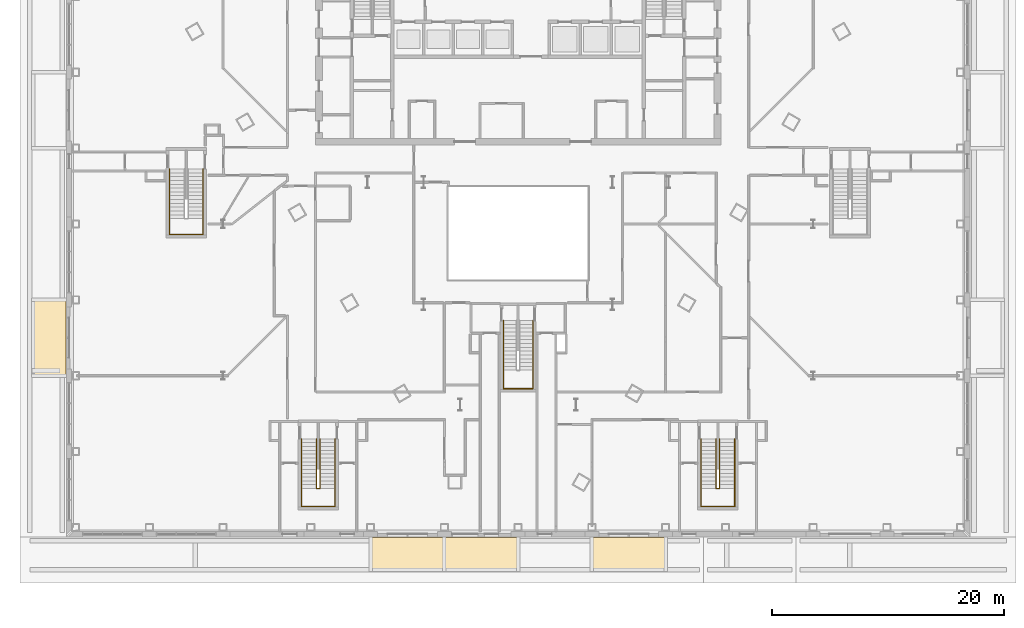
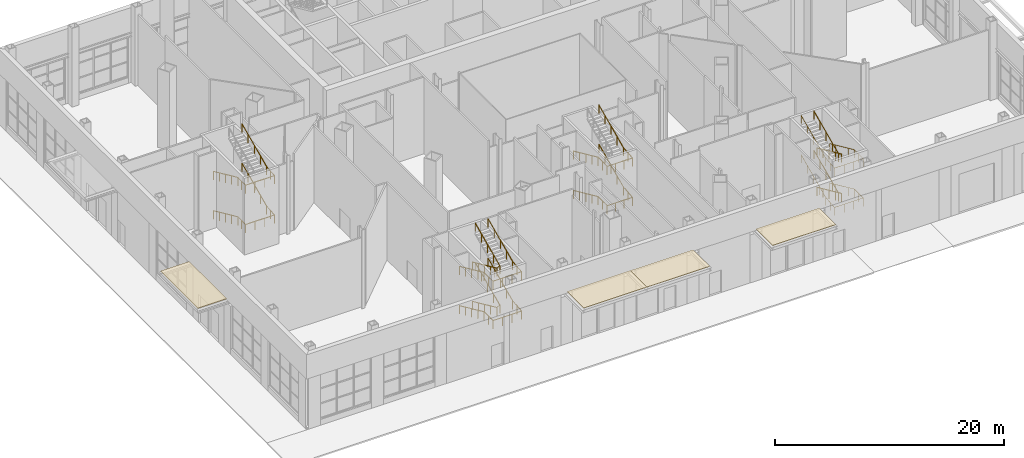
# One storey, part 31 of 34: 12 railings, 4 coverings.
"""IFC4 building model written with IfcOpenShell, lengths in metres."""

from ifc_helpers import new_model, si_unit, direction, frame, origin, origin_2d, place, context, subcontext, project, spatial, polyline, circle, outline, extrude, material, layer, layer_set, type_object, element, save


model = new_model("IFC4")

# Units and contexts
model_context = context("Model", 3, precision=1e-05, world=origin(), true_north=direction((0.0, 1.0)))
body_context = subcontext(model_context, "Body", "Model", "MODEL_VIEW")
ifc_project = project(units=[si_unit("LENGTHUNIT", "METRE"), si_unit("AREAUNIT", "SQUARE_METRE"), si_unit("VOLUMEUNIT", "CUBIC_METRE"), si_unit("PLANEANGLEUNIT", "RADIAN"), si_unit("MASSUNIT", "GRAM", prefix="KILO")], contexts=[model_context])

# Site, building, storey
site_placement = place(None, origin())
site = spatial("IfcSite", under=ifc_project, at=site_placement, CompositionType="ELEMENT")
building_placement = place(site_placement, origin())
building = spatial("IfcBuilding", under=site, at=building_placement, Name="Njiva Tower", CompositionType="ELEMENT")
storey_placement = place(building_placement, origin())
storey = spatial("IfcBuildingStorey", under=building, at=storey_placement, Name="L00", CompositionType="ELEMENT", Elevation=0.0)

# Coverings
ifc_material_1 = material(Name="Roofing membrane and ballast", Category="membrane")
ifc_layer = layer(ifc_material_1, 0.05)
ifc_layer_set = layer_set([ifc_layer], Name="Roofing membrane and ballast")
covering_type = type_object("IfcCoveringType", Name="RF90 Canopy roof finish 50", PredefinedType="ROOFING", material=ifc_layer_set)
covering_1_placement = place(storey_placement, frame((0.0, 0.0, 5.55)))
element("IfcCovering", 1, at=covering_1_placement, inside=storey, type_object=covering_type, Name="Canopy roof finish", PredefinedType="ROOFING", context=body_context, shape_type="SweptSolid", body=[
    extrude(outline(polyline([(-39.05, -13.35), (-39.05, -19.9), (-41.95, -19.9), (-41.95, -13.35), (-39.05, -13.35)])), origin(), (0.0, 0.0, 1.0), 0.05),
])
covering_2_placement = place(storey_placement, frame((0.0, 0.0, 5.55)))
element("IfcCovering", 2, at=covering_2_placement, inside=storey, type_object=covering_type, Name="Canopy roof finish", PredefinedType="ROOFING", context=body_context, shape_type="SweptSolid", body=[
    extrude(outline(polyline([(-12.7333, -33.85), (-6.3667, -33.85), (-6.3667, -36.75), (-12.7333, -36.75), (-12.7333, -33.85)])), origin(), (0.0, 0.0, 1.0), 0.05),
])
covering_3_placement = place(storey_placement, frame((0.0, 0.0, 5.55)))
element("IfcCovering", 3, at=covering_3_placement, inside=storey, type_object=covering_type, Name="Canopy roof finish", PredefinedType="ROOFING", context=body_context, shape_type="SweptSolid", body=[
    extrude(outline(polyline([(-6.3667, -33.85), (0.0, -33.85), (0.0, -36.75), (-6.3667, -36.75), (-6.3667, -33.85)])), origin(), (0.0, 0.0, 1.0), 0.05),
])
covering_4_placement = place(storey_placement, frame((0.0, 0.0, 5.55)))
element("IfcCovering", 4, at=covering_4_placement, inside=storey, type_object=covering_type, Name="Canopy roof finish", PredefinedType="ROOFING", context=body_context, shape_type="SweptSolid", body=[
    extrude(outline(polyline([(6.3667, -33.85), (12.7333, -33.85), (12.7333, -36.75), (6.3667, -36.75), (6.3667, -33.85)])), origin(), (0.0, 0.0, 1.0), 0.05),
])

# Railings
ifc_material_2 = material(Name="Stainless steel", Category="steel")
railing_type = type_object("IfcRailingType", Name="RL1 Stair handrail 900", PredefinedType="HANDRAIL", material=ifc_material_2)
railing_1_placement = place(storey_placement, frame((-1.275, -15.135, 0.15)))
element("IfcRailing", 5, at=railing_1_placement, inside=storey, type_object=railing_type, Name="Stair C handrail", PredefinedType="HANDRAIL", context=body_context, shape_type="SweptSolid", body=[
    extrude(circle(Radius=0.024, at=origin_2d()), frame((0.0, 0.0, 0.876), z_axis=(0.0, -0.910366477463, 0.413802944301), x_axis=(1.0, 0.0, 0.0)), (0.0, 0.0, 1.0), 4.7124),
    extrude(circle(Radius=0.024, at=origin_2d()), frame((0.0, -4.29, 2.826), z_axis=(0.0, -1.0, 0.0), x_axis=(1.0, 0.0, 0.0)), (0.0, 0.0, 1.0), 1.6),
    extrude(circle(Radius=0.024, at=origin_2d()), frame((0.0, -5.89, 2.826), z_axis=(1.0, 0.0, 0.0), x_axis=(0.0, 1.0, 0.0)), (0.0, 0.0, 1.0), 2.55),
    extrude(circle(Radius=0.024, at=origin_2d()), frame((2.55, -5.89, 2.826), z_axis=(0.0, 0.995634226059, 0.093340708693), x_axis=(-1.0, 0.0, 0.0)), (0.0, 0.0, 1.0), 1.607),
    extrude(circle(Radius=0.024, at=origin_2d()), frame((2.55, -4.29, 2.976), z_axis=(0.0, 0.910366477463, 0.413802944301), x_axis=(-1.0, 0.0, 0.0)), (0.0, 0.0, 1.0), 4.7124),
    extrude(circle(Radius=0.021, at=origin_2d()), origin(), (0.0, 0.0, 1.0), 0.852),
    extrude(circle(Radius=0.021, at=origin_2d()), frame((0.0, -1.0725, 0.4875)), (0.0, 0.0, 1.0), 0.852),
    extrude(circle(Radius=0.021, at=origin_2d()), frame((0.0, -2.145, 0.975)), (0.0, 0.0, 1.0), 0.852),
    extrude(circle(Radius=0.021, at=origin_2d()), frame((0.0, -3.2175, 1.4625)), (0.0, 0.0, 1.0), 0.852),
    extrude(circle(Radius=0.021, at=origin_2d()), frame((0.0, -4.29, 1.95)), (0.0, 0.0, 1.0), 0.852),
    extrude(circle(Radius=0.021, at=origin_2d()), frame((0.0, -5.09, 1.95)), (0.0, 0.0, 1.0), 0.852),
    extrude(circle(Radius=0.021, at=origin_2d()), frame((0.0, -5.89, 1.95)), (0.0, 0.0, 1.0), 0.852),
    extrude(circle(Radius=0.021, at=origin_2d()), frame((0.85, -5.89, 1.95)), (0.0, 0.0, 1.0), 0.852),
    extrude(circle(Radius=0.021, at=origin_2d()), frame((1.7, -5.89, 1.95)), (0.0, 0.0, 1.0), 0.852),
    extrude(circle(Radius=0.021, at=origin_2d()), frame((2.55, -5.89, 1.95)), (0.0, 0.0, 1.0), 0.852),
    extrude(circle(Radius=0.021, at=origin_2d()), frame((2.55, -5.09, 2.025)), (0.0, 0.0, 1.0), 0.852),
    extrude(circle(Radius=0.021, at=origin_2d()), frame((2.55, -4.29, 2.1)), (0.0, 0.0, 1.0), 0.852),
    extrude(circle(Radius=0.021, at=origin_2d()), frame((2.55, -3.2175, 2.5875)), (0.0, 0.0, 1.0), 0.852),
    extrude(circle(Radius=0.021, at=origin_2d()), frame((2.55, -2.145, 3.075)), (0.0, 0.0, 1.0), 0.852),
    extrude(circle(Radius=0.021, at=origin_2d()), frame((2.55, -1.0725, 3.5625)), (0.0, 0.0, 1.0), 0.852),
    extrude(circle(Radius=0.021, at=origin_2d()), frame((2.55, 0.0, 4.05)), (0.0, 0.0, 1.0), 0.852),
])
railing_2_placement = place(storey_placement, frame((-1.275, -15.135, 4.35)))
element("IfcRailing", 6, at=railing_2_placement, inside=storey, type_object=railing_type, Name="Stair C handrail", PredefinedType="HANDRAIL", context=body_context, shape_type="SweptSolid", body=[
    extrude(circle(Radius=0.024, at=origin_2d()), frame((0.0, 0.0, 0.876), z_axis=(0.0, -0.910366477463, 0.413802944301), x_axis=(1.0, 0.0, 0.0)), (0.0, 0.0, 1.0), 4.7124),
    extrude(circle(Radius=0.024, at=origin_2d()), frame((0.0, -4.29, 2.826), z_axis=(0.0, -1.0, 0.0), x_axis=(1.0, 0.0, 0.0)), (0.0, 0.0, 1.0), 1.6),
    extrude(circle(Radius=0.024, at=origin_2d()), frame((0.0, -5.89, 2.826), z_axis=(1.0, 0.0, 0.0), x_axis=(0.0, 1.0, 0.0)), (0.0, 0.0, 1.0), 2.55),
    extrude(circle(Radius=0.024, at=origin_2d()), frame((2.55, -5.89, 2.826), z_axis=(0.0, 0.995634226059, 0.093340708693), x_axis=(-1.0, 0.0, 0.0)), (0.0, 0.0, 1.0), 1.607),
    extrude(circle(Radius=0.024, at=origin_2d()), frame((2.55, -4.29, 2.976), z_axis=(0.0, 0.910366477463, 0.413802944301), x_axis=(-1.0, 0.0, 0.0)), (0.0, 0.0, 1.0), 4.7124),
    extrude(circle(Radius=0.021, at=origin_2d()), origin(), (0.0, 0.0, 1.0), 0.852),
    extrude(circle(Radius=0.021, at=origin_2d()), frame((0.0, -1.0725, 0.4875)), (0.0, 0.0, 1.0), 0.852),
    extrude(circle(Radius=0.021, at=origin_2d()), frame((0.0, -2.145, 0.975)), (0.0, 0.0, 1.0), 0.852),
    extrude(circle(Radius=0.021, at=origin_2d()), frame((0.0, -3.2175, 1.4625)), (0.0, 0.0, 1.0), 0.852),
    extrude(circle(Radius=0.021, at=origin_2d()), frame((0.0, -4.29, 1.95)), (0.0, 0.0, 1.0), 0.852),
    extrude(circle(Radius=0.021, at=origin_2d()), frame((0.0, -5.09, 1.95)), (0.0, 0.0, 1.0), 0.852),
    extrude(circle(Radius=0.021, at=origin_2d()), frame((0.0, -5.89, 1.95)), (0.0, 0.0, 1.0), 0.852),
    extrude(circle(Radius=0.021, at=origin_2d()), frame((0.85, -5.89, 1.95)), (0.0, 0.0, 1.0), 0.852),
    extrude(circle(Radius=0.021, at=origin_2d()), frame((1.7, -5.89, 1.95)), (0.0, 0.0, 1.0), 0.852),
    extrude(circle(Radius=0.021, at=origin_2d()), frame((2.55, -5.89, 1.95)), (0.0, 0.0, 1.0), 0.852),
    extrude(circle(Radius=0.021, at=origin_2d()), frame((2.55, -5.09, 2.025)), (0.0, 0.0, 1.0), 0.852),
    extrude(circle(Radius=0.021, at=origin_2d()), frame((2.55, -4.29, 2.1)), (0.0, 0.0, 1.0), 0.852),
    extrude(circle(Radius=0.021, at=origin_2d()), frame((2.55, -3.2175, 2.5875)), (0.0, 0.0, 1.0), 0.852),
    extrude(circle(Radius=0.021, at=origin_2d()), frame((2.55, -2.145, 3.075)), (0.0, 0.0, 1.0), 0.852),
    extrude(circle(Radius=0.021, at=origin_2d()), frame((2.55, -1.0725, 3.5625)), (0.0, 0.0, 1.0), 0.852),
    extrude(circle(Radius=0.021, at=origin_2d()), frame((2.55, 0.0, 4.05)), (0.0, 0.0, 1.0), 0.852),
])
railing_3_placement = place(storey_placement, frame((-18.7, -25.35, 0.15)))
element("IfcRailing", 7, at=railing_3_placement, inside=storey, type_object=railing_type, Name="Stair D handrail", PredefinedType="HANDRAIL", context=body_context, shape_type="SweptSolid", body=[
    extrude(circle(Radius=0.024, at=origin_2d()), frame((0.0, 0.0, 0.876), z_axis=(0.0, -0.910366477463, 0.413802944301), x_axis=(1.0, 0.0, 0.0)), (0.0, 0.0, 1.0), 4.7124),
    extrude(circle(Radius=0.024, at=origin_2d()), frame((0.0, -4.29, 2.826), z_axis=(0.0, -1.0, 0.0), x_axis=(1.0, 0.0, 0.0)), (0.0, 0.0, 1.0), 1.56),
    extrude(circle(Radius=0.024, at=origin_2d()), frame((0.0, -5.85, 2.826), z_axis=(1.0, 0.0, 0.0), x_axis=(0.0, 1.0, 0.0)), (0.0, 0.0, 1.0), 2.9),
    extrude(circle(Radius=0.024, at=origin_2d()), frame((2.9, -5.85, 2.826), z_axis=(0.0, 0.9954090291, 0.095712406644), x_axis=(-1.0, 0.0, 0.0)), (0.0, 0.0, 1.0), 1.5672),
    extrude(circle(Radius=0.024, at=origin_2d()), frame((2.9, -4.29, 2.976), z_axis=(0.0, 0.910366477463, 0.413802944301), x_axis=(-1.0, 0.0, 0.0)), (0.0, 0.0, 1.0), 4.7124),
    extrude(circle(Radius=0.021, at=origin_2d()), origin(), (0.0, 0.0, 1.0), 0.852),
    extrude(circle(Radius=0.021, at=origin_2d()), frame((0.0, -1.0725, 0.4875)), (0.0, 0.0, 1.0), 0.852),
    extrude(circle(Radius=0.021, at=origin_2d()), frame((0.0, -2.145, 0.975)), (0.0, 0.0, 1.0), 0.852),
    extrude(circle(Radius=0.021, at=origin_2d()), frame((0.0, -3.2175, 1.4625)), (0.0, 0.0, 1.0), 0.852),
    extrude(circle(Radius=0.021, at=origin_2d()), frame((0.0, -4.29, 1.95)), (0.0, 0.0, 1.0), 0.852),
    extrude(circle(Radius=0.021, at=origin_2d()), frame((0.0, -5.07, 1.95)), (0.0, 0.0, 1.0), 0.852),
    extrude(circle(Radius=0.021, at=origin_2d()), frame((0.0, -5.85, 1.95)), (0.0, 0.0, 1.0), 0.852),
    extrude(circle(Radius=0.021, at=origin_2d()), frame((0.9667, -5.85, 1.95)), (0.0, 0.0, 1.0), 0.852),
    extrude(circle(Radius=0.021, at=origin_2d()), frame((1.9333, -5.85, 1.95)), (0.0, 0.0, 1.0), 0.852),
    extrude(circle(Radius=0.021, at=origin_2d()), frame((2.9, -5.85, 1.95)), (0.0, 0.0, 1.0), 0.852),
    extrude(circle(Radius=0.021, at=origin_2d()), frame((2.9, -5.07, 2.025)), (0.0, 0.0, 1.0), 0.852),
    extrude(circle(Radius=0.021, at=origin_2d()), frame((2.9, -4.29, 2.1)), (0.0, 0.0, 1.0), 0.852),
    extrude(circle(Radius=0.021, at=origin_2d()), frame((2.9, -3.2175, 2.5875)), (0.0, 0.0, 1.0), 0.852),
    extrude(circle(Radius=0.021, at=origin_2d()), frame((2.9, -2.145, 3.075)), (0.0, 0.0, 1.0), 0.852),
    extrude(circle(Radius=0.021, at=origin_2d()), frame((2.9, -1.0725, 3.5625)), (0.0, 0.0, 1.0), 0.852),
    extrude(circle(Radius=0.021, at=origin_2d()), frame((2.9, 0.0, 4.05)), (0.0, 0.0, 1.0), 0.852),
])
railing_4_placement = place(storey_placement, frame((-17.4, -25.35, 0.15)))
element("IfcRailing", 8, at=railing_4_placement, inside=storey, type_object=railing_type, Name="Stair D handrail", PredefinedType="HANDRAIL", context=body_context, shape_type="SweptSolid", body=[
    extrude(circle(Radius=0.024, at=origin_2d()), frame((0.0, 0.0, 0.876), z_axis=(0.0, -0.910366477463, 0.413802944301), x_axis=(1.0, 0.0, 0.0)), (0.0, 0.0, 1.0), 4.7124),
    extrude(circle(Radius=0.024, at=origin_2d()), frame((0.0, -4.29, 2.826), z_axis=(0.894427191, 0.0, 0.4472135955), x_axis=(0.0, 1.0, 0.0)), (0.0, 0.0, 1.0), 0.3354),
    extrude(circle(Radius=0.024, at=origin_2d()), frame((0.3, -4.29, 2.976), z_axis=(0.0, 0.910366477463, 0.413802944301), x_axis=(-1.0, 0.0, 0.0)), (0.0, 0.0, 1.0), 4.7124),
    extrude(circle(Radius=0.021, at=origin_2d()), origin(), (0.0, 0.0, 1.0), 0.852),
    extrude(circle(Radius=0.021, at=origin_2d()), frame((0.0, -1.0725, 0.4875)), (0.0, 0.0, 1.0), 0.852),
    extrude(circle(Radius=0.021, at=origin_2d()), frame((0.0, -2.145, 0.975)), (0.0, 0.0, 1.0), 0.852),
    extrude(circle(Radius=0.021, at=origin_2d()), frame((0.0, -3.2175, 1.4625)), (0.0, 0.0, 1.0), 0.852),
    extrude(circle(Radius=0.021, at=origin_2d()), frame((0.0, -4.29, 1.95)), (0.0, 0.0, 1.0), 0.852),
    extrude(circle(Radius=0.021, at=origin_2d()), frame((0.3, -4.29, 2.1)), (0.0, 0.0, 1.0), 0.852),
    extrude(circle(Radius=0.021, at=origin_2d()), frame((0.3, -3.2175, 2.5875)), (0.0, 0.0, 1.0), 0.852),
    extrude(circle(Radius=0.021, at=origin_2d()), frame((0.3, -2.145, 3.075)), (0.0, 0.0, 1.0), 0.852),
    extrude(circle(Radius=0.021, at=origin_2d()), frame((0.3, -1.0725, 3.5625)), (0.0, 0.0, 1.0), 0.852),
    extrude(circle(Radius=0.021, at=origin_2d()), frame((0.3, 0.0, 4.05)), (0.0, 0.0, 1.0), 0.852),
])
railing_5_placement = place(storey_placement, frame((-18.7, -25.35, 4.35)))
element("IfcRailing", 9, at=railing_5_placement, inside=storey, type_object=railing_type, Name="Stair D handrail", PredefinedType="HANDRAIL", context=body_context, shape_type="SweptSolid", body=[
    extrude(circle(Radius=0.024, at=origin_2d()), frame((0.0, 0.0, 0.876), z_axis=(0.0, -0.910366477463, 0.413802944301), x_axis=(1.0, 0.0, 0.0)), (0.0, 0.0, 1.0), 4.7124),
    extrude(circle(Radius=0.024, at=origin_2d()), frame((0.0, -4.29, 2.826), z_axis=(0.0, -1.0, 0.0), x_axis=(1.0, 0.0, 0.0)), (0.0, 0.0, 1.0), 1.56),
    extrude(circle(Radius=0.024, at=origin_2d()), frame((0.0, -5.85, 2.826), z_axis=(1.0, 0.0, 0.0), x_axis=(0.0, 1.0, 0.0)), (0.0, 0.0, 1.0), 2.9),
    extrude(circle(Radius=0.024, at=origin_2d()), frame((2.9, -5.85, 2.826), z_axis=(0.0, 0.9954090291, 0.095712406644), x_axis=(-1.0, 0.0, 0.0)), (0.0, 0.0, 1.0), 1.5672),
    extrude(circle(Radius=0.024, at=origin_2d()), frame((2.9, -4.29, 2.976), z_axis=(0.0, 0.910366477463, 0.413802944301), x_axis=(-1.0, 0.0, 0.0)), (0.0, 0.0, 1.0), 4.7124),
    extrude(circle(Radius=0.021, at=origin_2d()), origin(), (0.0, 0.0, 1.0), 0.852),
    extrude(circle(Radius=0.021, at=origin_2d()), frame((0.0, -1.0725, 0.4875)), (0.0, 0.0, 1.0), 0.852),
    extrude(circle(Radius=0.021, at=origin_2d()), frame((0.0, -2.145, 0.975)), (0.0, 0.0, 1.0), 0.852),
    extrude(circle(Radius=0.021, at=origin_2d()), frame((0.0, -3.2175, 1.4625)), (0.0, 0.0, 1.0), 0.852),
    extrude(circle(Radius=0.021, at=origin_2d()), frame((0.0, -4.29, 1.95)), (0.0, 0.0, 1.0), 0.852),
    extrude(circle(Radius=0.021, at=origin_2d()), frame((0.0, -5.07, 1.95)), (0.0, 0.0, 1.0), 0.852),
    extrude(circle(Radius=0.021, at=origin_2d()), frame((0.0, -5.85, 1.95)), (0.0, 0.0, 1.0), 0.852),
    extrude(circle(Radius=0.021, at=origin_2d()), frame((0.9667, -5.85, 1.95)), (0.0, 0.0, 1.0), 0.852),
    extrude(circle(Radius=0.021, at=origin_2d()), frame((1.9333, -5.85, 1.95)), (0.0, 0.0, 1.0), 0.852),
    extrude(circle(Radius=0.021, at=origin_2d()), frame((2.9, -5.85, 1.95)), (0.0, 0.0, 1.0), 0.852),
    extrude(circle(Radius=0.021, at=origin_2d()), frame((2.9, -5.07, 2.025)), (0.0, 0.0, 1.0), 0.852),
    extrude(circle(Radius=0.021, at=origin_2d()), frame((2.9, -4.29, 2.1)), (0.0, 0.0, 1.0), 0.852),
    extrude(circle(Radius=0.021, at=origin_2d()), frame((2.9, -3.2175, 2.5875)), (0.0, 0.0, 1.0), 0.852),
    extrude(circle(Radius=0.021, at=origin_2d()), frame((2.9, -2.145, 3.075)), (0.0, 0.0, 1.0), 0.852),
    extrude(circle(Radius=0.021, at=origin_2d()), frame((2.9, -1.0725, 3.5625)), (0.0, 0.0, 1.0), 0.852),
    extrude(circle(Radius=0.021, at=origin_2d()), frame((2.9, 0.0, 4.05)), (0.0, 0.0, 1.0), 0.852),
])
railing_6_placement = place(storey_placement, frame((-17.4, -25.35, 4.35)))
element("IfcRailing", 10, at=railing_6_placement, inside=storey, type_object=railing_type, Name="Stair D handrail", PredefinedType="HANDRAIL", context=body_context, shape_type="SweptSolid", body=[
    extrude(circle(Radius=0.024, at=origin_2d()), frame((0.0, 0.0, 0.876), z_axis=(0.0, -0.910366477463, 0.413802944301), x_axis=(1.0, 0.0, 0.0)), (0.0, 0.0, 1.0), 4.7124),
    extrude(circle(Radius=0.024, at=origin_2d()), frame((0.0, -4.29, 2.826), z_axis=(0.894427191, 0.0, 0.4472135955), x_axis=(0.0, 1.0, 0.0)), (0.0, 0.0, 1.0), 0.3354),
    extrude(circle(Radius=0.024, at=origin_2d()), frame((0.3, -4.29, 2.976), z_axis=(0.0, 0.910366477463, 0.413802944301), x_axis=(-1.0, 0.0, 0.0)), (0.0, 0.0, 1.0), 4.7124),
    extrude(circle(Radius=0.021, at=origin_2d()), origin(), (0.0, 0.0, 1.0), 0.852),
    extrude(circle(Radius=0.021, at=origin_2d()), frame((0.0, -1.0725, 0.4875)), (0.0, 0.0, 1.0), 0.852),
    extrude(circle(Radius=0.021, at=origin_2d()), frame((0.0, -2.145, 0.975)), (0.0, 0.0, 1.0), 0.852),
    extrude(circle(Radius=0.021, at=origin_2d()), frame((0.0, -3.2175, 1.4625)), (0.0, 0.0, 1.0), 0.852),
    extrude(circle(Radius=0.021, at=origin_2d()), frame((0.0, -4.29, 1.95)), (0.0, 0.0, 1.0), 0.852),
    extrude(circle(Radius=0.021, at=origin_2d()), frame((0.3, -4.29, 2.1)), (0.0, 0.0, 1.0), 0.852),
    extrude(circle(Radius=0.021, at=origin_2d()), frame((0.3, -3.2175, 2.5875)), (0.0, 0.0, 1.0), 0.852),
    extrude(circle(Radius=0.021, at=origin_2d()), frame((0.3, -2.145, 3.075)), (0.0, 0.0, 1.0), 0.852),
    extrude(circle(Radius=0.021, at=origin_2d()), frame((0.3, -1.0725, 3.5625)), (0.0, 0.0, 1.0), 0.852),
    extrude(circle(Radius=0.021, at=origin_2d()), frame((0.3, 0.0, 4.05)), (0.0, 0.0, 1.0), 0.852),
])
railing_7_placement = place(storey_placement, frame((18.7, -25.35, 0.15)))
element("IfcRailing", 11, at=railing_7_placement, inside=storey, type_object=railing_type, Name="Stair E handrail", PredefinedType="HANDRAIL", context=body_context, shape_type="SweptSolid", body=[
    extrude(circle(Radius=0.024, at=origin_2d()), frame((0.0, 0.0, 0.876), z_axis=(0.0, -0.910366477463, 0.413802944301), x_axis=(1.0, 0.0, 0.0)), (0.0, 0.0, 1.0), 4.7124),
    extrude(circle(Radius=0.024, at=origin_2d()), frame((0.0, -4.29, 2.826), z_axis=(0.0, -1.0, 0.0), x_axis=(1.0, 0.0, 0.0)), (0.0, 0.0, 1.0), 1.56),
    extrude(circle(Radius=0.024, at=origin_2d()), frame((0.0, -5.85, 2.826), z_axis=(-1.0, 0.0, 0.0), x_axis=(0.0, -1.0, 0.0)), (0.0, 0.0, 1.0), 2.9),
    extrude(circle(Radius=0.024, at=origin_2d()), frame((-2.9, -5.85, 2.826), z_axis=(0.0, 0.9954090291, 0.095712406644), x_axis=(-1.0, 0.0, 0.0)), (0.0, 0.0, 1.0), 1.5672),
    extrude(circle(Radius=0.024, at=origin_2d()), frame((-2.9, -4.29, 2.976), z_axis=(0.0, 0.910366477463, 0.413802944301), x_axis=(-1.0, 0.0, 0.0)), (0.0, 0.0, 1.0), 4.7124),
    extrude(circle(Radius=0.021, at=origin_2d()), origin(), (0.0, 0.0, 1.0), 0.852),
    extrude(circle(Radius=0.021, at=origin_2d()), frame((0.0, -1.0725, 0.4875)), (0.0, 0.0, 1.0), 0.852),
    extrude(circle(Radius=0.021, at=origin_2d()), frame((0.0, -2.145, 0.975)), (0.0, 0.0, 1.0), 0.852),
    extrude(circle(Radius=0.021, at=origin_2d()), frame((0.0, -3.2175, 1.4625)), (0.0, 0.0, 1.0), 0.852),
    extrude(circle(Radius=0.021, at=origin_2d()), frame((0.0, -4.29, 1.95)), (0.0, 0.0, 1.0), 0.852),
    extrude(circle(Radius=0.021, at=origin_2d()), frame((0.0, -5.07, 1.95)), (0.0, 0.0, 1.0), 0.852),
    extrude(circle(Radius=0.021, at=origin_2d()), frame((0.0, -5.85, 1.95)), (0.0, 0.0, 1.0), 0.852),
    extrude(circle(Radius=0.021, at=origin_2d()), frame((-0.9667, -5.85, 1.95)), (0.0, 0.0, 1.0), 0.852),
    extrude(circle(Radius=0.021, at=origin_2d()), frame((-1.9333, -5.85, 1.95)), (0.0, 0.0, 1.0), 0.852),
    extrude(circle(Radius=0.021, at=origin_2d()), frame((-2.9, -5.85, 1.95)), (0.0, 0.0, 1.0), 0.852),
    extrude(circle(Radius=0.021, at=origin_2d()), frame((-2.9, -5.07, 2.025)), (0.0, 0.0, 1.0), 0.852),
    extrude(circle(Radius=0.021, at=origin_2d()), frame((-2.9, -4.29, 2.1)), (0.0, 0.0, 1.0), 0.852),
    extrude(circle(Radius=0.021, at=origin_2d()), frame((-2.9, -3.2175, 2.5875)), (0.0, 0.0, 1.0), 0.852),
    extrude(circle(Radius=0.021, at=origin_2d()), frame((-2.9, -2.145, 3.075)), (0.0, 0.0, 1.0), 0.852),
    extrude(circle(Radius=0.021, at=origin_2d()), frame((-2.9, -1.0725, 3.5625)), (0.0, 0.0, 1.0), 0.852),
    extrude(circle(Radius=0.021, at=origin_2d()), frame((-2.9, 0.0, 4.05)), (0.0, 0.0, 1.0), 0.852),
])
railing_8_placement = place(storey_placement, frame((17.4, -25.35, 0.15)))
element("IfcRailing", 12, at=railing_8_placement, inside=storey, type_object=railing_type, Name="Stair E handrail", PredefinedType="HANDRAIL", context=body_context, shape_type="SweptSolid", body=[
    extrude(circle(Radius=0.024, at=origin_2d()), frame((0.0, 0.0, 0.876), z_axis=(0.0, -0.910366477463, 0.413802944301), x_axis=(1.0, 0.0, 0.0)), (0.0, 0.0, 1.0), 4.7124),
    extrude(circle(Radius=0.024, at=origin_2d()), frame((0.0, -4.29, 2.826), z_axis=(-0.894427191, 0.0, 0.4472135955), x_axis=(0.0, -1.0, 0.0)), (0.0, 0.0, 1.0), 0.3354),
    extrude(circle(Radius=0.024, at=origin_2d()), frame((-0.3, -4.29, 2.976), z_axis=(0.0, 0.910366477463, 0.413802944301), x_axis=(-1.0, 0.0, 0.0)), (0.0, 0.0, 1.0), 4.7124),
    extrude(circle(Radius=0.021, at=origin_2d()), origin(), (0.0, 0.0, 1.0), 0.852),
    extrude(circle(Radius=0.021, at=origin_2d()), frame((0.0, -1.0725, 0.4875)), (0.0, 0.0, 1.0), 0.852),
    extrude(circle(Radius=0.021, at=origin_2d()), frame((0.0, -2.145, 0.975)), (0.0, 0.0, 1.0), 0.852),
    extrude(circle(Radius=0.021, at=origin_2d()), frame((0.0, -3.2175, 1.4625)), (0.0, 0.0, 1.0), 0.852),
    extrude(circle(Radius=0.021, at=origin_2d()), frame((0.0, -4.29, 1.95)), (0.0, 0.0, 1.0), 0.852),
    extrude(circle(Radius=0.021, at=origin_2d()), frame((-0.3, -4.29, 2.1)), (0.0, 0.0, 1.0), 0.852),
    extrude(circle(Radius=0.021, at=origin_2d()), frame((-0.3, -3.2175, 2.5875)), (0.0, 0.0, 1.0), 0.852),
    extrude(circle(Radius=0.021, at=origin_2d()), frame((-0.3, -2.145, 3.075)), (0.0, 0.0, 1.0), 0.852),
    extrude(circle(Radius=0.021, at=origin_2d()), frame((-0.3, -1.0725, 3.5625)), (0.0, 0.0, 1.0), 0.852),
    extrude(circle(Radius=0.021, at=origin_2d()), frame((-0.3, 0.0, 4.05)), (0.0, 0.0, 1.0), 0.852),
])
railing_9_placement = place(storey_placement, frame((18.7, -25.35, 4.35)))
element("IfcRailing", 13, at=railing_9_placement, inside=storey, type_object=railing_type, Name="Stair E handrail", PredefinedType="HANDRAIL", context=body_context, shape_type="SweptSolid", body=[
    extrude(circle(Radius=0.024, at=origin_2d()), frame((0.0, 0.0, 0.876), z_axis=(0.0, -0.910366477463, 0.413802944301), x_axis=(1.0, 0.0, 0.0)), (0.0, 0.0, 1.0), 4.7124),
    extrude(circle(Radius=0.024, at=origin_2d()), frame((0.0, -4.29, 2.826), z_axis=(0.0, -1.0, 0.0), x_axis=(1.0, 0.0, 0.0)), (0.0, 0.0, 1.0), 1.56),
    extrude(circle(Radius=0.024, at=origin_2d()), frame((0.0, -5.85, 2.826), z_axis=(-1.0, 0.0, 0.0), x_axis=(0.0, -1.0, 0.0)), (0.0, 0.0, 1.0), 2.9),
    extrude(circle(Radius=0.024, at=origin_2d()), frame((-2.9, -5.85, 2.826), z_axis=(0.0, 0.9954090291, 0.095712406644), x_axis=(-1.0, 0.0, 0.0)), (0.0, 0.0, 1.0), 1.5672),
    extrude(circle(Radius=0.024, at=origin_2d()), frame((-2.9, -4.29, 2.976), z_axis=(0.0, 0.910366477463, 0.413802944301), x_axis=(-1.0, 0.0, 0.0)), (0.0, 0.0, 1.0), 4.7124),
    extrude(circle(Radius=0.021, at=origin_2d()), origin(), (0.0, 0.0, 1.0), 0.852),
    extrude(circle(Radius=0.021, at=origin_2d()), frame((0.0, -1.0725, 0.4875)), (0.0, 0.0, 1.0), 0.852),
    extrude(circle(Radius=0.021, at=origin_2d()), frame((0.0, -2.145, 0.975)), (0.0, 0.0, 1.0), 0.852),
    extrude(circle(Radius=0.021, at=origin_2d()), frame((0.0, -3.2175, 1.4625)), (0.0, 0.0, 1.0), 0.852),
    extrude(circle(Radius=0.021, at=origin_2d()), frame((0.0, -4.29, 1.95)), (0.0, 0.0, 1.0), 0.852),
    extrude(circle(Radius=0.021, at=origin_2d()), frame((0.0, -5.07, 1.95)), (0.0, 0.0, 1.0), 0.852),
    extrude(circle(Radius=0.021, at=origin_2d()), frame((0.0, -5.85, 1.95)), (0.0, 0.0, 1.0), 0.852),
    extrude(circle(Radius=0.021, at=origin_2d()), frame((-0.9667, -5.85, 1.95)), (0.0, 0.0, 1.0), 0.852),
    extrude(circle(Radius=0.021, at=origin_2d()), frame((-1.9333, -5.85, 1.95)), (0.0, 0.0, 1.0), 0.852),
    extrude(circle(Radius=0.021, at=origin_2d()), frame((-2.9, -5.85, 1.95)), (0.0, 0.0, 1.0), 0.852),
    extrude(circle(Radius=0.021, at=origin_2d()), frame((-2.9, -5.07, 2.025)), (0.0, 0.0, 1.0), 0.852),
    extrude(circle(Radius=0.021, at=origin_2d()), frame((-2.9, -4.29, 2.1)), (0.0, 0.0, 1.0), 0.852),
    extrude(circle(Radius=0.021, at=origin_2d()), frame((-2.9, -3.2175, 2.5875)), (0.0, 0.0, 1.0), 0.852),
    extrude(circle(Radius=0.021, at=origin_2d()), frame((-2.9, -2.145, 3.075)), (0.0, 0.0, 1.0), 0.852),
    extrude(circle(Radius=0.021, at=origin_2d()), frame((-2.9, -1.0725, 3.5625)), (0.0, 0.0, 1.0), 0.852),
    extrude(circle(Radius=0.021, at=origin_2d()), frame((-2.9, 0.0, 4.05)), (0.0, 0.0, 1.0), 0.852),
])
railing_10_placement = place(storey_placement, frame((17.4, -25.35, 4.35)))
element("IfcRailing", 14, at=railing_10_placement, inside=storey, type_object=railing_type, Name="Stair E handrail", PredefinedType="HANDRAIL", context=body_context, shape_type="SweptSolid", body=[
    extrude(circle(Radius=0.024, at=origin_2d()), frame((0.0, 0.0, 0.876), z_axis=(0.0, -0.910366477463, 0.413802944301), x_axis=(1.0, 0.0, 0.0)), (0.0, 0.0, 1.0), 4.7124),
    extrude(circle(Radius=0.024, at=origin_2d()), frame((0.0, -4.29, 2.826), z_axis=(-0.894427191, 0.0, 0.4472135955), x_axis=(0.0, -1.0, 0.0)), (0.0, 0.0, 1.0), 0.3354),
    extrude(circle(Radius=0.024, at=origin_2d()), frame((-0.3, -4.29, 2.976), z_axis=(0.0, 0.910366477463, 0.413802944301), x_axis=(-1.0, 0.0, 0.0)), (0.0, 0.0, 1.0), 4.7124),
    extrude(circle(Radius=0.021, at=origin_2d()), origin(), (0.0, 0.0, 1.0), 0.852),
    extrude(circle(Radius=0.021, at=origin_2d()), frame((0.0, -1.0725, 0.4875)), (0.0, 0.0, 1.0), 0.852),
    extrude(circle(Radius=0.021, at=origin_2d()), frame((0.0, -2.145, 0.975)), (0.0, 0.0, 1.0), 0.852),
    extrude(circle(Radius=0.021, at=origin_2d()), frame((0.0, -3.2175, 1.4625)), (0.0, 0.0, 1.0), 0.852),
    extrude(circle(Radius=0.021, at=origin_2d()), frame((0.0, -4.29, 1.95)), (0.0, 0.0, 1.0), 0.852),
    extrude(circle(Radius=0.021, at=origin_2d()), frame((-0.3, -4.29, 2.1)), (0.0, 0.0, 1.0), 0.852),
    extrude(circle(Radius=0.021, at=origin_2d()), frame((-0.3, -3.2175, 2.5875)), (0.0, 0.0, 1.0), 0.852),
    extrude(circle(Radius=0.021, at=origin_2d()), frame((-0.3, -2.145, 3.075)), (0.0, 0.0, 1.0), 0.852),
    extrude(circle(Radius=0.021, at=origin_2d()), frame((-0.3, -1.0725, 3.5625)), (0.0, 0.0, 1.0), 0.852),
    extrude(circle(Radius=0.021, at=origin_2d()), frame((-0.3, 0.0, 4.05)), (0.0, 0.0, 1.0), 0.852),
])
railing_11_placement = place(storey_placement, frame((-30.1, -2.05, 0.15)))
element("IfcRailing", 15, at=railing_11_placement, inside=storey, type_object=railing_type, Name="Stair F handrail", PredefinedType="HANDRAIL", context=body_context, shape_type="SweptSolid", body=[
    extrude(circle(Radius=0.024, at=origin_2d()), frame((0.0, 0.0, 0.876), z_axis=(0.0, -0.910366477463, 0.413802944301), x_axis=(1.0, 0.0, 0.0)), (0.0, 0.0, 1.0), 4.7124),
    extrude(circle(Radius=0.024, at=origin_2d()), frame((0.0, -4.29, 2.826), z_axis=(0.0, -1.0, 0.0), x_axis=(1.0, 0.0, 0.0)), (0.0, 0.0, 1.0), 1.36),
    extrude(circle(Radius=0.024, at=origin_2d()), frame((0.0, -5.65, 2.826), z_axis=(1.0, 0.0, 0.0), x_axis=(0.0, 1.0, 0.0)), (0.0, 0.0, 1.0), 2.9),
    extrude(circle(Radius=0.024, at=origin_2d()), frame((2.9, -5.65, 2.826), z_axis=(0.0, 0.993972540491, 0.109629324319), x_axis=(-1.0, 0.0, 0.0)), (0.0, 0.0, 1.0), 1.3682),
    extrude(circle(Radius=0.024, at=origin_2d()), frame((2.9, -4.29, 2.976), z_axis=(0.0, 0.910366477463, 0.413802944301), x_axis=(-1.0, 0.0, 0.0)), (0.0, 0.0, 1.0), 4.7124),
    extrude(circle(Radius=0.021, at=origin_2d()), origin(), (0.0, 0.0, 1.0), 0.852),
    extrude(circle(Radius=0.021, at=origin_2d()), frame((0.0, -1.0725, 0.4875)), (0.0, 0.0, 1.0), 0.852),
    extrude(circle(Radius=0.021, at=origin_2d()), frame((0.0, -2.145, 0.975)), (0.0, 0.0, 1.0), 0.852),
    extrude(circle(Radius=0.021, at=origin_2d()), frame((0.0, -3.2175, 1.4625)), (0.0, 0.0, 1.0), 0.852),
    extrude(circle(Radius=0.021, at=origin_2d()), frame((0.0, -4.29, 1.95)), (0.0, 0.0, 1.0), 0.852),
    extrude(circle(Radius=0.021, at=origin_2d()), frame((0.0, -4.97, 1.95)), (0.0, 0.0, 1.0), 0.852),
    extrude(circle(Radius=0.021, at=origin_2d()), frame((0.0, -5.65, 1.95)), (0.0, 0.0, 1.0), 0.852),
    extrude(circle(Radius=0.021, at=origin_2d()), frame((0.9667, -5.65, 1.95)), (0.0, 0.0, 1.0), 0.852),
    extrude(circle(Radius=0.021, at=origin_2d()), frame((1.9333, -5.65, 1.95)), (0.0, 0.0, 1.0), 0.852),
    extrude(circle(Radius=0.021, at=origin_2d()), frame((2.9, -5.65, 1.95)), (0.0, 0.0, 1.0), 0.852),
    extrude(circle(Radius=0.021, at=origin_2d()), frame((2.9, -4.97, 2.025)), (0.0, 0.0, 1.0), 0.852),
    extrude(circle(Radius=0.021, at=origin_2d()), frame((2.9, -4.29, 2.1)), (0.0, 0.0, 1.0), 0.852),
    extrude(circle(Radius=0.021, at=origin_2d()), frame((2.9, -3.2175, 2.5875)), (0.0, 0.0, 1.0), 0.852),
    extrude(circle(Radius=0.021, at=origin_2d()), frame((2.9, -2.145, 3.075)), (0.0, 0.0, 1.0), 0.852),
    extrude(circle(Radius=0.021, at=origin_2d()), frame((2.9, -1.0725, 3.5625)), (0.0, 0.0, 1.0), 0.852),
    extrude(circle(Radius=0.021, at=origin_2d()), frame((2.9, 0.0, 4.05)), (0.0, 0.0, 1.0), 0.852),
])
railing_12_placement = place(storey_placement, frame((-30.1, -2.05, 4.35)))
element("IfcRailing", 16, at=railing_12_placement, inside=storey, type_object=railing_type, Name="Stair F handrail", PredefinedType="HANDRAIL", context=body_context, shape_type="SweptSolid", body=[
    extrude(circle(Radius=0.024, at=origin_2d()), frame((0.0, 0.0, 0.876), z_axis=(0.0, -0.910366477463, 0.413802944301), x_axis=(1.0, 0.0, 0.0)), (0.0, 0.0, 1.0), 4.7124),
    extrude(circle(Radius=0.024, at=origin_2d()), frame((0.0, -4.29, 2.826), z_axis=(0.0, -1.0, 0.0), x_axis=(1.0, 0.0, 0.0)), (0.0, 0.0, 1.0), 1.36),
    extrude(circle(Radius=0.024, at=origin_2d()), frame((0.0, -5.65, 2.826), z_axis=(1.0, 0.0, 0.0), x_axis=(0.0, 1.0, 0.0)), (0.0, 0.0, 1.0), 2.9),
    extrude(circle(Radius=0.024, at=origin_2d()), frame((2.9, -5.65, 2.826), z_axis=(0.0, 0.993972540491, 0.109629324319), x_axis=(-1.0, 0.0, 0.0)), (0.0, 0.0, 1.0), 1.3682),
    extrude(circle(Radius=0.024, at=origin_2d()), frame((2.9, -4.29, 2.976), z_axis=(0.0, 0.910366477463, 0.413802944301), x_axis=(-1.0, 0.0, 0.0)), (0.0, 0.0, 1.0), 4.7124),
    extrude(circle(Radius=0.021, at=origin_2d()), origin(), (0.0, 0.0, 1.0), 0.852),
    extrude(circle(Radius=0.021, at=origin_2d()), frame((0.0, -1.0725, 0.4875)), (0.0, 0.0, 1.0), 0.852),
    extrude(circle(Radius=0.021, at=origin_2d()), frame((0.0, -2.145, 0.975)), (0.0, 0.0, 1.0), 0.852),
    extrude(circle(Radius=0.021, at=origin_2d()), frame((0.0, -3.2175, 1.4625)), (0.0, 0.0, 1.0), 0.852),
    extrude(circle(Radius=0.021, at=origin_2d()), frame((0.0, -4.29, 1.95)), (0.0, 0.0, 1.0), 0.852),
    extrude(circle(Radius=0.021, at=origin_2d()), frame((0.0, -4.97, 1.95)), (0.0, 0.0, 1.0), 0.852),
    extrude(circle(Radius=0.021, at=origin_2d()), frame((0.0, -5.65, 1.95)), (0.0, 0.0, 1.0), 0.852),
    extrude(circle(Radius=0.021, at=origin_2d()), frame((0.9667, -5.65, 1.95)), (0.0, 0.0, 1.0), 0.852),
    extrude(circle(Radius=0.021, at=origin_2d()), frame((1.9333, -5.65, 1.95)), (0.0, 0.0, 1.0), 0.852),
    extrude(circle(Radius=0.021, at=origin_2d()), frame((2.9, -5.65, 1.95)), (0.0, 0.0, 1.0), 0.852),
    extrude(circle(Radius=0.021, at=origin_2d()), frame((2.9, -4.97, 2.025)), (0.0, 0.0, 1.0), 0.852),
    extrude(circle(Radius=0.021, at=origin_2d()), frame((2.9, -4.29, 2.1)), (0.0, 0.0, 1.0), 0.852),
    extrude(circle(Radius=0.021, at=origin_2d()), frame((2.9, -3.2175, 2.5875)), (0.0, 0.0, 1.0), 0.852),
    extrude(circle(Radius=0.021, at=origin_2d()), frame((2.9, -2.145, 3.075)), (0.0, 0.0, 1.0), 0.852),
    extrude(circle(Radius=0.021, at=origin_2d()), frame((2.9, -1.0725, 3.5625)), (0.0, 0.0, 1.0), 0.852),
    extrude(circle(Radius=0.021, at=origin_2d()), frame((2.9, 0.0, 4.05)), (0.0, 0.0, 1.0), 0.852),
])

save(model, "model.ifc")
